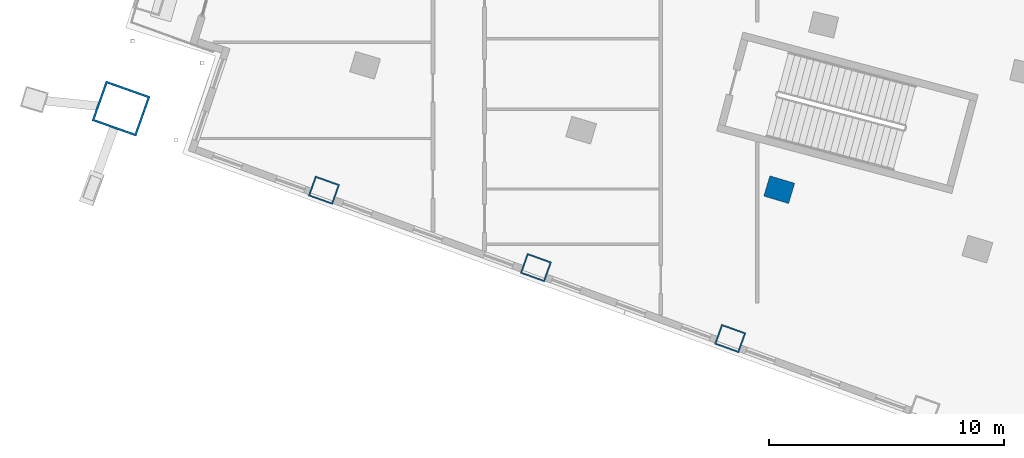
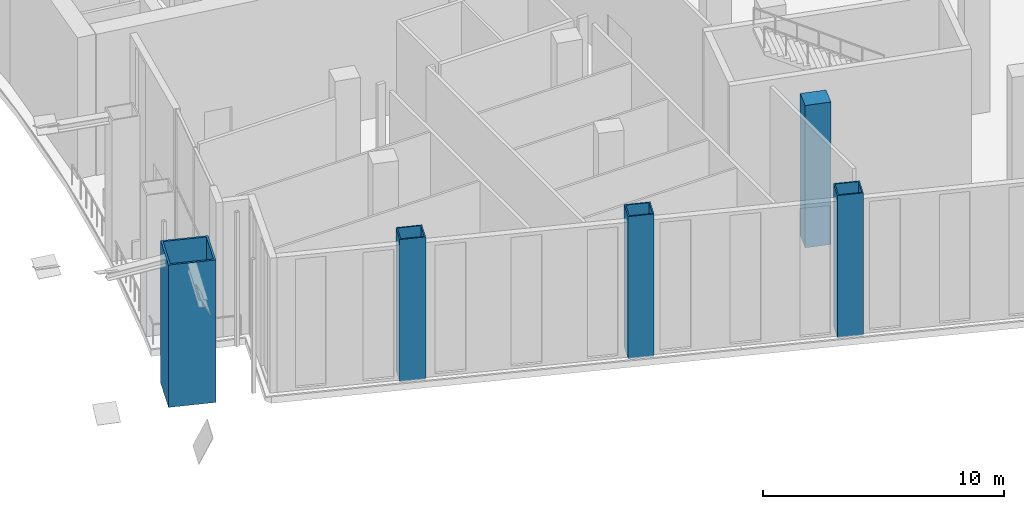
# One storey, part 1 of 27: 5 columns.
"""IFC4 building model written with IfcOpenShell, lengths in metres."""

from ifc_helpers import new_model, si_unit, direction, frame, origin, origin_2d, place, context, subcontext, project, spatial, rectangle, hollow_rectangle, extrude, material, material_profile, profile_set, type_object, element, save


model = new_model("IFC4")

# Units and contexts
model_context = context("Model", 3, precision=1e-05, world=origin(), true_north=direction((0.0, 1.0)))
body_context = subcontext(model_context, "Body", "Model", "MODEL_VIEW")
ifc_project = project(units=[si_unit("LENGTHUNIT", "METRE"), si_unit("AREAUNIT", "SQUARE_METRE"), si_unit("VOLUMEUNIT", "CUBIC_METRE"), si_unit("PLANEANGLEUNIT", "RADIAN"), si_unit("MASSUNIT", "GRAM", prefix="KILO")], contexts=[model_context])

# Site, building, storey
site_placement = place(None, origin())
site = spatial("IfcSite", under=ifc_project, at=site_placement, CompositionType="ELEMENT")
building_placement = place(site_placement, origin())
building = spatial("IfcBuilding", under=site, at=building_placement, Name="Alderwake Tower", CompositionType="ELEMENT")
storey_placement = place(building_placement, frame((0.0, 0.0, 75.199951171875)))
storey = spatial("IfcBuildingStorey", under=building, at=storey_placement, Name="L18", CompositionType="ELEMENT", Elevation=75.199951171875)

# Columns
ifc_material_1 = material(Name="Steel ASTM A572 Grade 50 concrete filled C70/85", Category="concrete")
ifc_material_profile_1 = material_profile(ifc_material_1, hollow_rectangle(XDim=0.89990234375, YDim=1.10009765625, WallThickness=0.06005859375, at=origin_2d()), Name="BOX 1100X900X60")
ifc_profile_set_1 = profile_set([ifc_material_profile_1], Name="Steel ASTM A572 Grade 50 concrete filled C70/85")
column_type_1 = type_object("IfcColumnType", Name="End column Z1", PredefinedType="COLUMN", material=ifc_profile_set_1)
for number, where, z_axis, x_axis, name in (
    (1, (19.965576171875, 25.1484375, 0.0), (0.0, 0.0, 1.0), (0.337584879279, 0.9412950915, 0.0), "Column R01-C1"),
    (2, (28.983642578125, 21.856689453125, 0.0), (0.0, 0.0, 1.0), (0.338026774049, 0.941136493834, 0.0), "Column R01-C2"),
    (3, (37.250244140625, 18.839111328125, 0.0), (0.0, 0.0, 1.0), (0.3383700535, 0.941013127907, 0.0), "Column R01-C3"),
):
    element("IfcColumn", number, at=place(storey_placement, frame(where, z_axis=z_axis, x_axis=x_axis)), inside=storey, type_object=column_type_1, Name=name, PredefinedType="COLUMN", context=body_context, shape_type="SweptSolid", body=[
        extrude(hollow_rectangle(XDim=0.89990234375, YDim=1.10009765625, WallThickness=0.06005859375, at=origin_2d()), origin(), (0.0, 0.0, 1.0), 7.199951171875),
    ])
ifc_material_2 = material(Name="Concrete C70/85", Category="concrete")
ifc_material_profile_2 = material_profile(ifc_material_2, rectangle(XDim=0.89990234375, YDim=1.10009765625, at=origin_2d()), Name="RC 1100X900")
ifc_profile_set_2 = profile_set([ifc_material_profile_2], Name="Concrete C70/85")
column_type_2 = type_object("IfcColumnType", Name="Interior column Z1", PredefinedType="COLUMN", material=ifc_profile_set_2)
column_1_placement = place(storey_placement, frame((39.337646484375, 25.17138671875, 0.0), z_axis=(0.0, 0.0, 1.0), x_axis=(0.287549418125, 0.957765802342, 0.0)))
element("IfcColumn", 4, at=column_1_placement, inside=storey, type_object=column_type_2, Name="Column R02-C3", PredefinedType="COLUMN", context=body_context, shape_type="SweptSolid", body=[
    extrude(rectangle(XDim=0.89990234375, YDim=1.10009765625, at=origin_2d()), origin(), (0.0, 0.0, 1.0), 7.199951171875),
])
ifc_material_3 = material(Name="Steel ASTM A572 Grade 50 concrete filled C70/85", Category="concrete")
ifc_material_profile_3 = material_profile(ifc_material_3, hollow_rectangle(XDim=1.800048828125, YDim=2.0, WallThickness=0.090087890625, at=origin_2d()), Name="BOX 2000X1800X90")
ifc_profile_set_3 = profile_set([ifc_material_profile_3], Name="Steel ASTM A572 Grade 50 concrete filled C70/85")
column_type_3 = type_object("IfcColumnType", Name="Mega column Z1", PredefinedType="COLUMN", material=ifc_profile_set_3)
column_2_placement = place(storey_placement, frame((11.330810546875, 28.622802734375, 0.0), z_axis=(0.0, 0.0, 1.0), x_axis=(0.334130947791, 0.942526662609, 0.0)))
element("IfcColumn", 5, at=column_2_placement, inside=storey, type_object=column_type_3, Name="Column R01-C0", PredefinedType="COLUMN", context=body_context, shape_type="SweptSolid", body=[
    extrude(hollow_rectangle(XDim=1.800048828125, YDim=2.0, WallThickness=0.090087890625, at=origin_2d()), origin(), (0.0, 0.0, 1.0), 7.199951171875),
])

save(model, "model.ifc")
